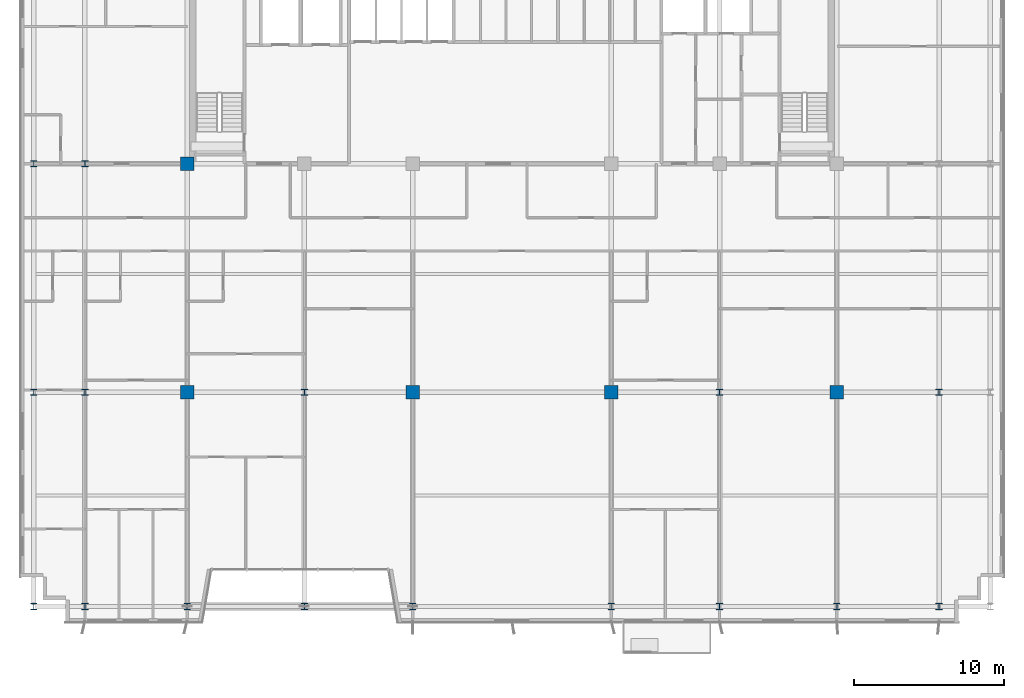
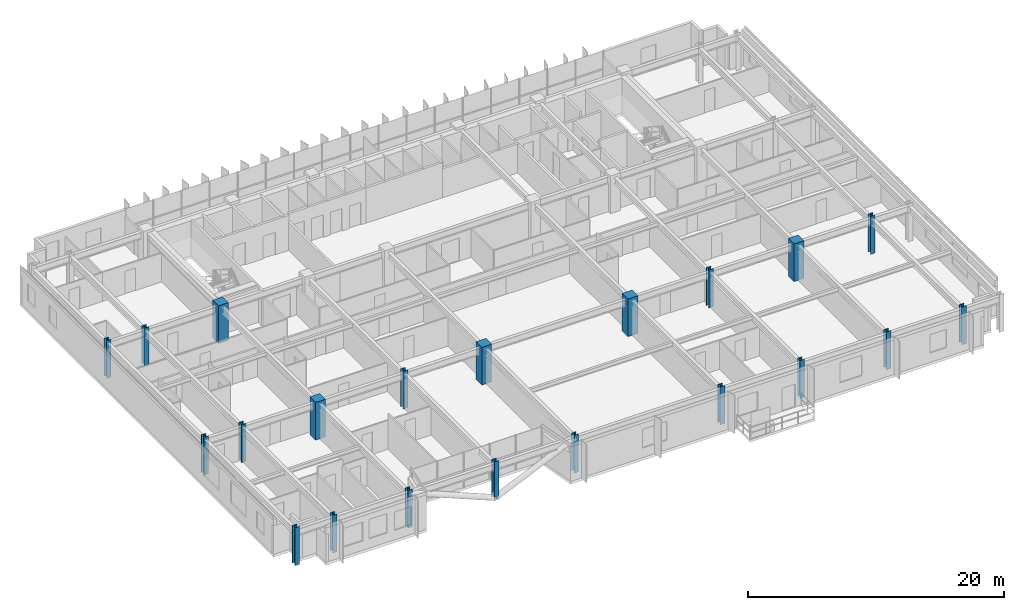
# One storey, part 1 of 25: 21 columns.
"""IFC4 building model written with IfcOpenShell, lengths in metres."""

from ifc_helpers import new_model, si_unit, direction, frame, origin, origin_2d, place, context, subcontext, project, spatial, rectangle, i_section, extrude, source, transform, mapped, material, material_profile, profile_set, type_object, element, save


model = new_model("IFC4")

# Units and contexts
model_context = context("Model", 3, precision=1e-05, world=origin(), true_north=direction((0.0, 1.0)))
body_context = subcontext(model_context, "Body", "Model", "MODEL_VIEW")
ifc_project = project(units=[si_unit("LENGTHUNIT", "METRE"), si_unit("AREAUNIT", "SQUARE_METRE"), si_unit("VOLUMEUNIT", "CUBIC_METRE"), si_unit("PLANEANGLEUNIT", "RADIAN"), si_unit("MASSUNIT", "GRAM", prefix="KILO")], contexts=[model_context])

# Site, building, storey
site_placement = place(None, origin())
site = spatial("IfcSite", under=ifc_project, at=site_placement, CompositionType="ELEMENT")
building_placement = place(site_placement, origin())
building = spatial("IfcBuilding", under=site, at=building_placement, Name="Trelvane Seafront Commons", CompositionType="ELEMENT")
storey_placement = place(building_placement, frame((0.0, 0.0, 66.699951171875)))
storey = spatial("IfcBuildingStorey", under=building, at=storey_placement, Name="L17", CompositionType="ELEMENT", Elevation=66.699951171875)

# Columns
ifc_material_1 = material(Name="Steel SM355 (S355)", Category="steel")
ifc_material_profile_1 = material_profile(ifc_material_1, i_section(OverallWidth=0.419921875, OverallDepth=0.419921875, WebThickness=0.02587890625, FlangeThickness=0.0400390625, at=origin_2d()), Name="HD-420x420x26x40")
ifc_profile_set_1 = profile_set([ifc_material_profile_1], Name="Steel SM355 (S355)")
column_type_1 = type_object("IfcColumnType", Name="STR-COL-HD420", PredefinedType="COLUMN", material=ifc_profile_set_1)
shared_shape_1 = source(origin(), body_context, "Body", "SweptSolid", [
    extrude(i_section(OverallWidth=0.419921875, OverallDepth=0.419921875, WebThickness=0.02587890625, FlangeThickness=0.0400390625, at=origin_2d()), origin(), (0.0, 0.0, 1.0), 3.60009765625),
])
for number, where, z_axis, x_axis, name in (
    (1, (5.39990234375, 3.949951171875, 0.0), (0.0, 0.0, 1.0), (1.0, 0.0, 0.0), "L17 Column TC-S5.4"),
    (2, (5.39990234375, 18.199951171875, 0.0), (0.0, 0.0, 1.0), (1.0, 0.0, 0.0), "L17 Column TC-M5.4"),
    (3, (5.39990234375, 33.39990234375, 0.0), (0.0, 0.0, 1.0), (1.0, 0.0, 0.0), "L17 Column TC-CS5.4"),
    (4, (8.800048828125, 3.949951171875, 0.0), (0.0, 0.0, 1.0), (1.0, 0.0, 0.0), "L17 Column TC-S8.8"),
    (5, (8.800048828125, 18.199951171875, 0.0), (0.0, 0.0, 1.0), (1.0, 0.0, 0.0), "L17 Column TC-M8.8"),
    (6, (8.800048828125, 33.39990234375, 0.0), (0.0, 0.0, 1.0), (1.0, 0.0, 0.0), "L17 Column TC-CS8.8"),
    (7, (15.60009765625, 3.949951171875, 0.0), (0.0, 0.0, 1.0), (1.0, 0.0, 0.0), "L17 Column TC-S15.6"),
    (8, (23.39990234375, 3.949951171875, 0.0), (0.0, 0.0, 1.0), (1.0, 0.0, 0.0), "L17 Column TC-S23.4"),
    (9, (23.39990234375, 18.199951171875, 0.0), (0.0, 0.0, 1.0), (1.0, 0.0, 0.0), "L17 Column TC-M23.4"),
    (10, (30.60009765625, 3.949951171875, 0.0), (0.0, 0.0, 1.0), (1.0, 0.0, 0.0), "L17 Column TC-S30.6"),
    (11, (43.800048828125, 3.949951171875, 0.0), (0.0, 0.0, 1.0), (1.0, 0.0, 0.0), "L17 Column TC-S43.8"),
    (12, (51.0, 3.949951171875, 0.0), (0.0, 0.0, 1.0), (1.0, 0.0, 0.0), "L17 Column TC-S51.0"),
    (13, (51.0, 18.199951171875, 0.0), (0.0, 0.0, 1.0), (1.0, 0.0, 0.0), "L17 Column TC-M51.0"),
    (14, (58.800048828125, 3.949951171875, 0.0), (0.0, 0.0, 1.0), (1.0, 0.0, 0.0), "L17 Column TC-S58.8"),
    (15, (65.60009765625, 3.949951171875, 0.0), (0.0, 0.0, 1.0), (1.0, 0.0, 0.0), "L17 Column TC-S65.6"),
    (16, (65.60009765625, 18.199951171875, 0.0), (0.0, 0.0, 1.0), (1.0, 0.0, 0.0), "L17 Column TC-M65.6"),
):
    element("IfcColumn", number, at=place(storey_placement, frame(where, z_axis=z_axis, x_axis=x_axis)), inside=storey, type_object=column_type_1, Name=name, PredefinedType="COLUMN", context=body_context, shape_type="MappedRepresentation", body=[
        mapped(shared_shape_1, transform((0.0, 0.0, 0.0), x_axis=(1.0, 0.0, 0.0), y_axis=(0.0, 1.0, 0.0), z_axis=(0.0, 0.0, 1.0), scale=1.0)),
    ])
ifc_material_2 = material(Name="Concrete C60/75", Category="concrete")
ifc_material_profile_2 = material_profile(ifc_material_2, rectangle(XDim=0.89990234375, YDim=0.89990234375, at=origin_2d()), Name="RC-900x900")
ifc_profile_set_2 = profile_set([ifc_material_profile_2], Name="Concrete C60/75")
column_type_2 = type_object("IfcColumnType", Name="STR-COL-RC900", PredefinedType="COLUMN", material=ifc_profile_set_2)
shared_shape_2 = source(origin(), body_context, "Body", "SweptSolid", [
    extrude(rectangle(XDim=0.89990234375, YDim=0.89990234375, at=origin_2d()), origin(), (0.0, 0.0, 1.0), 3.60009765625),
])
for number, where, z_axis, x_axis, name in (
    (17, (15.60009765625, 18.199951171875, 0.0), (0.0, 0.0, 1.0), (1.0, 0.0, 0.0), "L17 Column TC-M15.6"),
    (18, (15.60009765625, 33.39990234375, 0.0), (0.0, 0.0, 1.0), (1.0, 0.0, 0.0), "L17 Column TC-CS15.6"),
    (19, (30.60009765625, 18.199951171875, 0.0), (0.0, 0.0, 1.0), (1.0, 0.0, 0.0), "L17 Column TC-M30.6"),
    (20, (43.800048828125, 18.199951171875, 0.0), (0.0, 0.0, 1.0), (1.0, 0.0, 0.0), "L17 Column TC-M43.8"),
    (21, (58.800048828125, 18.199951171875, 0.0), (0.0, 0.0, 1.0), (1.0, 0.0, 0.0), "L17 Column TC-M58.8"),
):
    element("IfcColumn", number, at=place(storey_placement, frame(where, z_axis=z_axis, x_axis=x_axis)), inside=storey, type_object=column_type_2, Name=name, PredefinedType="COLUMN", context=body_context, shape_type="MappedRepresentation", body=[
        mapped(shared_shape_2, transform((0.0, 0.0, 0.0), x_axis=(1.0, 0.0, 0.0), y_axis=(0.0, 1.0, 0.0), z_axis=(0.0, 0.0, 1.0), scale=1.0)),
    ])

save(model, "model.ifc")
